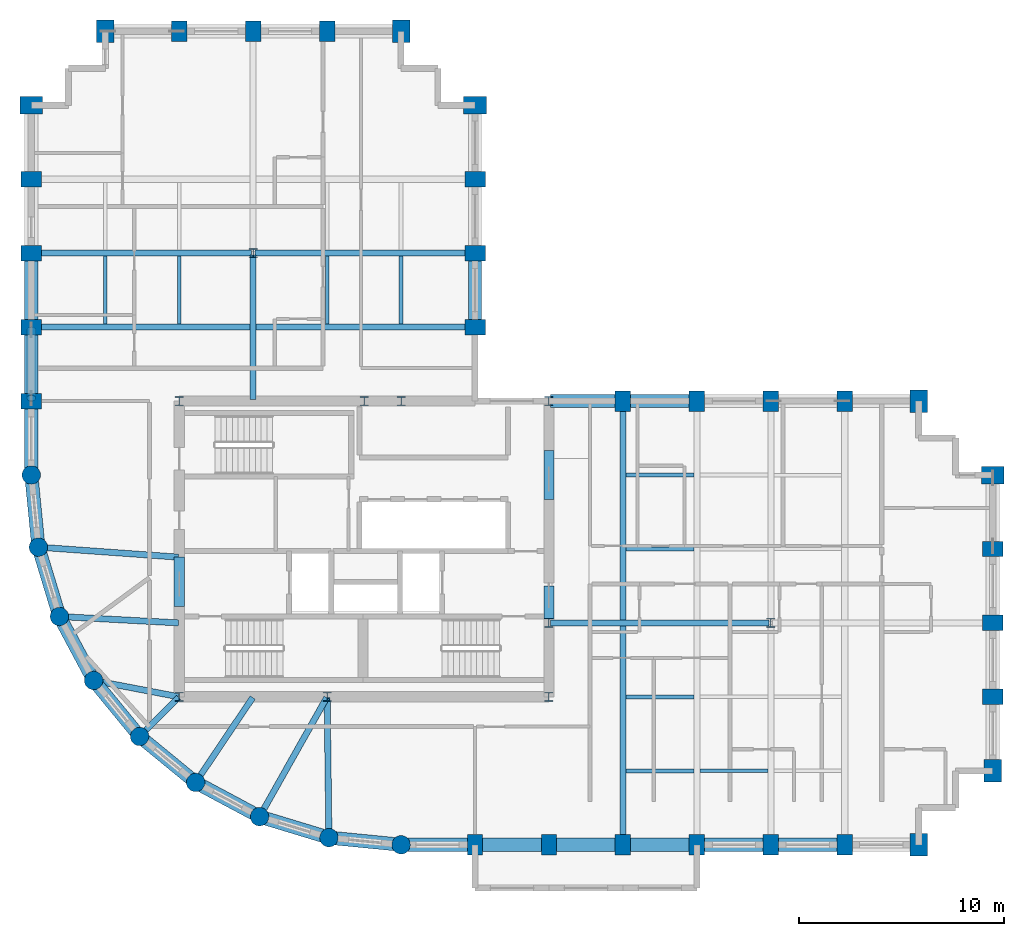
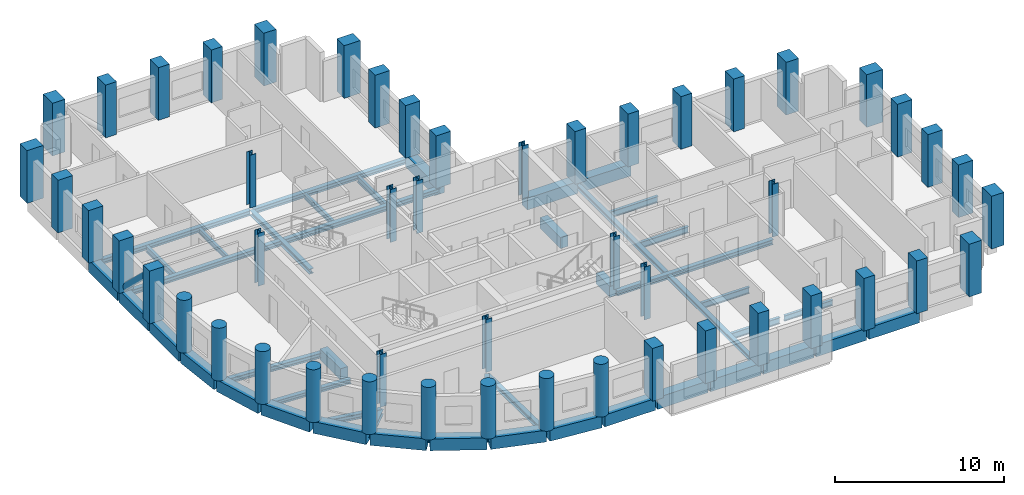
# One storey, part 1 of 9: 50 columns, 45 beams, 1 member.
"""IFC4 building model written with IfcOpenShell, lengths in metres."""

from ifc_helpers import new_model, si_unit, direction, frame, origin, origin_2d, place, context, subcontext, project, spatial, rectangle, circle, hollow_circle, i_section, extrude, material, material_profile, profile_set, type_object, element, save


model = new_model("IFC4")

# Units and contexts
model_context = context("Model", 3, precision=1e-05, world=origin(), true_north=direction((0.0, 1.0)))
body_context = subcontext(model_context, "Body", "Model", "MODEL_VIEW")
ifc_project = project(units=[si_unit("LENGTHUNIT", "METRE"), si_unit("AREAUNIT", "SQUARE_METRE"), si_unit("VOLUMEUNIT", "CUBIC_METRE"), si_unit("PLANEANGLEUNIT", "RADIAN"), si_unit("MASSUNIT", "GRAM", prefix="KILO")], contexts=[model_context])

# Site, building, storey
site_placement = place(None, origin())
site = spatial("IfcSite", under=ifc_project, at=site_placement, CompositionType="ELEMENT")
building_placement = place(site_placement, origin())
building = spatial("IfcBuilding", under=site, at=building_placement, Name="Solnavia Interchange Tower", CompositionType="ELEMENT")
storey_placement = place(building_placement, frame((0.0, 0.0, 139.0)))
storey = spatial("IfcBuildingStorey", under=building, at=storey_placement, Name="L34", CompositionType="ELEMENT", Elevation=139.0)

# Columns
ifc_material_1 = material(Name="Concrete C50/60", Category="concrete")
ifc_material_profile_1 = material_profile(ifc_material_1, rectangle(XDim=0.75, YDim=1.0, at=origin_2d()), Name="RC 1000x750")
ifc_profile_set_1 = profile_set([ifc_material_profile_1], Name="Concrete C50/60")
column_type_1 = type_object("IfcColumnType", Name="Col-RC-1000x750", PredefinedType="COLUMN", material=ifc_profile_set_1)
for number, where, z_axis, x_axis, name in (
    (1, (7.199951171875, 25.199951171875, 0.0), (0.0, 0.0, 1.0), (0.0, 1.0, 0.0), "COL-L34-02 Tower perim y column"),
    (2, (7.199951171875, 28.800048828125, 0.0), (0.0, 0.0, 1.0), (0.0, 1.0, 0.0), "COL-L34-03 Tower perim y column"),
    (3, (7.199951171875, 32.39990234375, 0.0), (0.0, 0.0, 1.0), (0.0, 1.0, 0.0), "COL-L34-04 Tower perim y column"),
    (4, (7.199951171875, 36.0, 0.0), (0.0, 0.0, 1.0), (0.0, 1.0, 0.0), "COL-L34-05 Tower perim y column"),
    (5, (14.39990234375, 43.199951171875, 0.0), (0.0, 0.0, 1.0), (1.0, 0.0, 0.0), "COL-L34-14 Tower perim x column"),
    (6, (18.0, 43.199951171875, 0.0), (0.0, 0.0, 1.0), (1.0, 0.0, 0.0), "COL-L34-17 Tower perim x column"),
    (7, (21.60009765625, 43.199951171875, 0.0), (0.0, 0.0, 1.0), (1.0, 0.0, 0.0), "COL-L34-20 Tower perim x column"),
    (8, (28.800048828125, 3.60009765625, 0.0), (0.0, 0.0, 1.0), (1.0, 0.0, 0.0), "COL-L34-26 Tower perim x column"),
    (9, (28.800048828125, 28.800048828125, 0.0), (0.0, 0.0, 1.0), (0.0, 1.0, 0.0), "COL-L34-27 Tower perim y column"),
    (10, (28.800048828125, 32.39990234375, 0.0), (0.0, 0.0, 1.0), (0.0, 1.0, 0.0), "COL-L34-28 Tower perim y column"),
    (11, (28.800048828125, 36.0, 0.0), (0.0, 0.0, 1.0), (0.0, 1.0, 0.0), "COL-L34-29 Tower perim y column"),
    (12, (32.39990234375, 3.60009765625, 0.0), (0.0, 0.0, 1.0), (1.0, 0.0, 0.0), "COL-L34-31 Tower perim x column"),
    (13, (36.0, 3.60009765625, 0.0), (0.0, 0.0, 1.0), (1.0, 0.0, 0.0), "COL-L34-35 Tower perim x column"),
    (14, (36.0, 25.199951171875, 0.0), (0.0, 0.0, 1.0), (1.0, 0.0, 0.0), "COL-L34-36 Tower perim x column"),
    (15, (39.60009765625, 3.60009765625, 0.0), (0.0, 0.0, 1.0), (1.0, 0.0, 0.0), "COL-L34-37 Tower perim x column"),
    (16, (39.60009765625, 25.199951171875, 0.0), (0.0, 0.0, 1.0), (1.0, 0.0, 0.0), "COL-L34-38 Tower perim x column"),
    (17, (43.199951171875, 3.60009765625, 0.0), (0.0, 0.0, 1.0), (1.0, 0.0, 0.0), "COL-L34-39 Tower perim x column"),
    (18, (43.199951171875, 25.199951171875, 0.0), (0.0, 0.0, 1.0), (1.0, 0.0, 0.0), "COL-L34-41 Tower perim x column"),
    (19, (46.800048828125, 3.60009765625, 0.0), (0.0, 0.0, 1.0), (1.0, 0.0, 0.0), "COL-L34-42 Tower perim x column"),
    (20, (46.800048828125, 25.199951171875, 0.0), (0.0, 0.0, 1.0), (1.0, 0.0, 0.0), "COL-L34-43 Tower perim x column"),
    (21, (54.0, 10.800048828125, 0.0), (0.0, 0.0, 1.0), (0.0, 1.0, 0.0), "COL-L34-47 Tower perim y column"),
    (22, (54.0, 14.39990234375, 0.0), (0.0, 0.0, 1.0), (0.0, 1.0, 0.0), "COL-L34-48 Tower perim y column"),
    (23, (54.0, 18.0, 0.0), (0.0, 0.0, 1.0), (0.0, 1.0, 0.0), "COL-L34-49 Tower perim y column"),
):
    element("IfcColumn", number, at=place(storey_placement, frame(where, z_axis=z_axis, x_axis=x_axis)), inside=storey, type_object=column_type_1, Name=name, PredefinedType="COLUMN", context=body_context, shape_type="SweptSolid", body=[
        extrude(rectangle(XDim=0.75, YDim=1.0, at=origin_2d()), origin(), (0.0, 0.0, 1.0), 3.800048828125),
    ])
ifc_material_profile_2 = material_profile(ifc_material_1, rectangle(XDim=0.85009765625, YDim=1.10009765625, at=origin_2d()), Name="RC 1100x850")
ifc_profile_set_2 = profile_set([ifc_material_profile_2], Name="Concrete C50/60")
column_type_2 = type_object("IfcColumnType", Name="Col-RC-1100x850", PredefinedType="COLUMN", material=ifc_profile_set_2)
for number, where, z_axis, x_axis, name in (
    (24, (7.199951171875, 39.60009765625, 0.0), (0.0, 0.0, 1.0), (0.0, 1.0, 0.0), "COL-L34-06 Tower corner column"),
    (25, (10.800048828125, 43.199951171875, 0.0), (0.0, 0.0, 1.0), (1.0, 0.0, 0.0), "COL-L34-10 Tower corner column"),
    (26, (25.199951171875, 43.199951171875, 0.0), (0.0, 0.0, 1.0), (1.0, 0.0, 0.0), "COL-L34-25 Tower corner column"),
    (27, (28.800048828125, 39.60009765625, 0.0), (0.0, 0.0, 1.0), (0.0, 1.0, 0.0), "COL-L34-30 Tower corner column"),
    (28, (50.39990234375, 3.60009765625, 0.0), (0.0, 0.0, 1.0), (1.0, 0.0, 0.0), "COL-L34-44 Tower corner column"),
    (29, (50.39990234375, 25.199951171875, 0.0), (0.0, 0.0, 1.0), (1.0, 0.0, 0.0), "COL-L34-45 Tower corner column"),
    (30, (54.0, 7.199951171875, 0.0), (0.0, 0.0, 1.0), (1.0, 0.0, 0.0), "COL-L34-46 Tower corner column"),
    (31, (54.0, 21.60009765625, 0.0), (0.0, 0.0, 1.0), (0.0, 1.0, 0.0), "COL-L34-50 Tower corner column"),
):
    element("IfcColumn", number, at=place(storey_placement, frame(where, z_axis=z_axis, x_axis=x_axis)), inside=storey, type_object=column_type_2, Name=name, PredefinedType="COLUMN", context=body_context, shape_type="SweptSolid", body=[
        extrude(rectangle(XDim=0.85009765625, YDim=1.10009765625, at=origin_2d()), origin(), (0.0, 0.0, 1.0), 3.800048828125),
    ])
ifc_material_profile_3 = material_profile(ifc_material_1, circle(Radius=0.449951171875, at=origin_2d()), Name="RC D900")
ifc_profile_set_3 = profile_set([ifc_material_profile_3], Name="Concrete C50/60")
column_type_3 = type_object("IfcColumnType", Name="Col-RC-D900", PredefinedType="COLUMN", material=ifc_profile_set_3)
for number, where, z_axis, x_axis, name in (
    (32, (7.199951171875, 21.60009765625, 0.0), (0.0, 0.0, 1.0), (1.0, 0.0, 0.0), "COL-L34-01 Tower drum column"),
    (33, (7.5458984375, 18.087890625, 0.0), (0.0, 0.0, 1.0), (1.0, 0.0, 0.0), "COL-L34-07 Tower drum column"),
    (34, (8.570068359375, 14.7119140625, 0.0), (0.0, 0.0, 1.0), (1.0, 0.0, 0.0), "COL-L34-08 Tower drum column"),
    (35, (10.23388671875, 11.60009765625, 0.0), (0.0, 0.0, 1.0), (1.0, 0.0, 0.0), "COL-L34-09 Tower drum column"),
    (36, (12.471923828125, 8.8720703125, 0.0), (0.0, 0.0, 1.0), (1.0, 0.0, 0.0), "COL-L34-11 Tower drum column"),
    (37, (15.199951171875, 6.634033203125, 0.0), (0.0, 0.0, 1.0), (1.0, 0.0, 0.0), "COL-L34-15 Tower drum column"),
    (38, (18.31201171875, 4.969970703125, 0.0), (0.0, 0.0, 1.0), (1.0, 0.0, 0.0), "COL-L34-18 Tower drum column"),
    (39, (21.68798828125, 3.946044921875, 0.0), (0.0, 0.0, 1.0), (1.0, 0.0, 0.0), "COL-L34-21 Tower drum column"),
    (40, (25.199951171875, 3.60009765625, 0.0), (0.0, 0.0, 1.0), (1.0, 0.0, 0.0), "COL-L34-23 Tower drum column"),
):
    element("IfcColumn", number, at=place(storey_placement, frame(where, z_axis=z_axis, x_axis=x_axis)), inside=storey, type_object=column_type_3, Name=name, PredefinedType="COLUMN", context=body_context, shape_type="SweptSolid", body=[
        extrude(circle(Radius=0.449951171875, at=origin_2d()), origin(), (0.0, 0.0, 1.0), 3.800048828125),
    ])
ifc_material_2 = material(Name="Steel S355", Category="steel")
ifc_material_profile_4 = material_profile(ifc_material_2, i_section(OverallWidth=0.416015625, OverallDepth=0.44189453125, WebThickness=0.02490234375, FlangeThickness=0.041015625, FilletRadius=0.014892578125, at=origin_2d()), Name="HD 400x382")
ifc_profile_set_4 = profile_set([ifc_material_profile_4], Name="Steel S355")
column_type_4 = type_object("IfcColumnType", Name="Col-Steel-HD400x382", PredefinedType="COLUMN", material=ifc_profile_set_4)
for number, where, z_axis, x_axis, name in (
    (41, (14.39990234375, 10.800048828125, 0.0), (0.0, 0.0, 1.0), (1.0, 0.0, 0.0), "COL-L34-12 Tower interior column"),
    (42, (14.39990234375, 25.199951171875, 0.0), (0.0, 0.0, 1.0), (1.0, 0.0, 0.0), "COL-L34-13 Tower interior column"),
    (43, (18.0, 32.39990234375, 0.0), (0.0, 0.0, 1.0), (1.0, 0.0, 0.0), "COL-L34-16 Tower interior column"),
    (44, (21.60009765625, 10.800048828125, 0.0), (0.0, 0.0, 1.0), (1.0, 0.0, 0.0), "COL-L34-19 Tower interior column"),
    (45, (23.39990234375, 25.199951171875, 0.0), (0.0, 0.0, 1.0), (1.0, 0.0, 0.0), "COL-L34-22 Tower interior column"),
    (46, (25.199951171875, 25.199951171875, 0.0), (0.0, 0.0, 1.0), (1.0, 0.0, 0.0), "COL-L34-24 Tower interior column"),
    (47, (32.39990234375, 10.800048828125, 0.0), (0.0, 0.0, 1.0), (1.0, 0.0, 0.0), "COL-L34-32 Tower interior column"),
    (48, (32.39990234375, 14.39990234375, 0.0), (0.0, 0.0, 1.0), (1.0, 0.0, 0.0), "COL-L34-33 Tower interior column"),
    (49, (32.39990234375, 25.199951171875, 0.0), (0.0, 0.0, 1.0), (1.0, 0.0, 0.0), "COL-L34-34 Tower interior column"),
    (50, (43.199951171875, 14.39990234375, 0.0), (0.0, 0.0, 1.0), (1.0, 0.0, 0.0), "COL-L34-40 Tower interior column"),
):
    element("IfcColumn", number, at=place(storey_placement, frame(where, z_axis=z_axis, x_axis=x_axis)), inside=storey, type_object=column_type_4, Name=name, PredefinedType="COLUMN", context=body_context, shape_type="SweptSolid", body=[
        extrude(i_section(OverallWidth=0.416015625, OverallDepth=0.44189453125, WebThickness=0.02490234375, FlangeThickness=0.041015625, FilletRadius=0.014892578125, at=origin_2d()), origin(), (0.0, 0.0, 1.0), 3.800048828125),
    ])

# Beams
ifc_material_profile_5 = material_profile(ifc_material_1, rectangle(XDim=0.5, YDim=0.800048828125, at=origin_2d()), Name="RC 500x800")
ifc_profile_set_5 = profile_set([ifc_material_profile_5], Name="Concrete C50/60")
beam_type_1 = type_object("IfcBeamType", Name="Beam-Coupling-RC500x800", PredefinedType="LINTEL", material=ifc_profile_set_5)
beam_1_placement = place(storey_placement, frame((14.39990234375, 15.199951171875, -0.39990234375), z_axis=(0.0, 1.0, 0.0), x_axis=(-1.0, 0.0, 0.0)))
element("IfcBeam", 51, at=beam_1_placement, inside=storey, type_object=beam_type_1, Name="CPB-L34-W1 Core coupling lintel beam", PredefinedType="LINTEL", context=body_context, shape_type="SweptSolid", body=[
    extrude(rectangle(XDim=0.5, YDim=0.800048828125, at=origin_2d()), origin(), (0.0, 0.0, 1.0), 2.400146484375),
])
beam_2_placement = place(storey_placement, frame((32.39990234375, 14.60009765625, -0.39990234375), z_axis=(0.0, 1.0, 0.0), x_axis=(-1.0, 0.0, 0.0)))
element("IfcBeam", 52, at=beam_2_placement, inside=storey, type_object=beam_type_1, Name="CPB-L34-E1 Core coupling lintel beam", PredefinedType="LINTEL", context=body_context, shape_type="SweptSolid", body=[
    extrude(rectangle(XDim=0.5, YDim=0.800048828125, at=origin_2d()), origin(), (0.0, 0.0, 1.0), 1.599853515625),
])
beam_3_placement = place(storey_placement, frame((32.39990234375, 20.39990234375, -0.39990234375), z_axis=(0.0, 1.0, 0.0), x_axis=(-1.0, 0.0, 0.0)))
element("IfcBeam", 53, at=beam_3_placement, inside=storey, type_object=beam_type_1, Name="CPB-L34-E2 Core coupling lintel beam", PredefinedType="LINTEL", context=body_context, shape_type="SweptSolid", body=[
    extrude(rectangle(XDim=0.5, YDim=0.800048828125, at=origin_2d()), origin(), (0.0, 0.0, 1.0), 2.400146484375),
])
ifc_material_3 = material(Name="Steel S460", Category="steel")
ifc_material_profile_6 = material_profile(ifc_material_3, i_section(OverallWidth=0.300048828125, OverallDepth=0.360107421875, WebThickness=0.012451171875, FlangeThickness=0.0224609375, FilletRadius=0.027099609375, at=origin_2d()), Name="HEB 360")
ifc_profile_set_6 = profile_set([ifc_material_profile_6], Name="Steel S460")
beam_type_2 = type_object("IfcBeamType", Name="Beam-Girder-HEB360", PredefinedType="BEAM", material=ifc_profile_set_6)
beam_4_placement = place(storey_placement, frame((32.47998046875, 14.39990234375, -0.429931640625), z_axis=(1.0, 0.0, 0.0), x_axis=(0.0, 1.0, 0.0)))
element("IfcBeam", 54, at=beam_4_placement, inside=storey, type_object=beam_type_2, Name="GRD-L34-ES01 East wing spine girder", PredefinedType="BEAM", context=body_context, shape_type="SweptSolid", body=[
    extrude(i_section(OverallWidth=0.300048828125, OverallDepth=0.360107421875, WebThickness=0.012451171875, FlangeThickness=0.0224609375, FilletRadius=0.027099609375, at=origin_2d()), origin(), (0.0, 0.0, 1.0), 10.64013671875),
])
beam_5_placement = place(storey_placement, frame((18.0, 25.280029296875, -0.429931640625), z_axis=(0.0, 1.0, 0.0), x_axis=(-1.0, 0.0, 0.0)))
element("IfcBeam", 55, at=beam_5_placement, inside=storey, type_object=beam_type_2, Name="GRD-L34-NS08 North wing spine girder", PredefinedType="BEAM", context=body_context, shape_type="SweptSolid", body=[
    extrude(i_section(OverallWidth=0.300048828125, OverallDepth=0.360107421875, WebThickness=0.012451171875, FlangeThickness=0.0224609375, FilletRadius=0.027099609375, at=origin_2d()), origin(), (0.0, 0.0, 1.0), 7.0400390625),
])
beam_6_placement = place(storey_placement, frame((7.280029296875, 28.800048828125, -0.429931640625), z_axis=(1.0, 0.0, 0.0), x_axis=(0.0, 1.0, 0.0)))
element("IfcBeam", 56, at=beam_6_placement, inside=storey, type_object=beam_type_2, Name="GRD-L34-NW10 North wing primary floor girder", PredefinedType="BEAM", context=body_context, shape_type="SweptSolid", body=[
    extrude(i_section(OverallWidth=0.300048828125, OverallDepth=0.360107421875, WebThickness=0.012451171875, FlangeThickness=0.0224609375, FilletRadius=0.027099609375, at=origin_2d()), origin(), (0.0, 0.0, 1.0), 21.43994140625),
])
beam_7_placement = place(storey_placement, frame((10.3125, 11.5849609375, -0.429931640625), z_axis=(0.982057527796, -0.188581579428, 0.0), x_axis=(0.188581579428, 0.982057527796, 0.0)))
element("IfcBeam", 57, at=beam_7_placement, inside=storey, type_object=beam_type_2, Name="GRD-L34-DR16 Drum radial floor girder", PredefinedType="BEAM", context=body_context, shape_type="SweptSolid", body=[
    extrude(i_section(OverallWidth=0.300048828125, OverallDepth=0.360107421875, WebThickness=0.012451171875, FlangeThickness=0.0224609375, FilletRadius=0.027099609375, at=origin_2d()), origin(), (0.0, 0.0, 1.0), 4.1220703125),
])
beam_8_placement = place(storey_placement, frame((18.351318359375, 5.039794921875, -0.429931640625), z_axis=(0.491243158486, 0.871022479182, 0.0), x_axis=(-0.871022479182, 0.491243158486, 0.0)))
element("IfcBeam", 58, at=beam_8_placement, inside=storey, type_object=beam_type_2, Name="GRD-L34-DR19 Drum radial floor girder", PredefinedType="BEAM", context=body_context, shape_type="SweptSolid", body=[
    extrude(i_section(OverallWidth=0.300048828125, OverallDepth=0.360107421875, WebThickness=0.012451171875, FlangeThickness=0.0224609375, FilletRadius=0.027099609375, at=origin_2d()), origin(), (0.0, 0.0, 1.0), 6.5732421875),
])
ifc_material_profile_7 = material_profile(ifc_material_2, i_section(OverallWidth=0.169921875, OverallDepth=0.360107421875, WebThickness=0.008056640625, FlangeThickness=0.0126953125, FilletRadius=0.01806640625, at=origin_2d()), Name="IPE 360")
ifc_profile_set_7 = profile_set([ifc_material_profile_7], Name="Steel S355")
beam_type_3 = type_object("IfcBeamType", Name="Beam-Joist-IPE360", PredefinedType="JOIST", material=ifc_profile_set_7)
beam_9_placement = place(storey_placement, frame((14.39990234375, 28.949951171875, -0.429931640625), z_axis=(0.0, 1.0, 0.0), x_axis=(-1.0, 0.0, 0.0)))
element("IfcBeam", 59, at=beam_9_placement, inside=storey, type_object=beam_type_3, Name="JST-L34-N15 North wing secondary joist", PredefinedType="JOIST", context=body_context, shape_type="SweptSolid", body=[
    extrude(i_section(OverallWidth=0.169921875, OverallDepth=0.360107421875, WebThickness=0.008056640625, FlangeThickness=0.0126953125, FilletRadius=0.01806640625, at=origin_2d()), origin(), (0.0, 0.0, 1.0), 3.300048828125),
])
ifc_material_profile_8 = material_profile(ifc_material_2, i_section(OverallWidth=0.179931640625, OverallDepth=0.39990234375, WebThickness=0.008544921875, FlangeThickness=0.013427734375, FilletRadius=0.02099609375, at=origin_2d()), Name="IPE 400")
ifc_profile_set_8 = profile_set([ifc_material_profile_8], Name="Steel S355")
beam_type_4 = type_object("IfcBeamType", Name="Beam-Joist-IPE400", PredefinedType="JOIST", material=ifc_profile_set_8)
for number, where, z_axis, x_axis, name in (
    (60, (39.75, 7.199951171875, -0.449951171875), (1.0, 0.0, 0.0), (0.0, 1.0, 0.0), "JST-L34-E02 East wing secondary joist"),
    (61, (21.60009765625, 28.949951171875, -0.449951171875), (0.0, 1.0, 0.0), (-1.0, 0.0, 0.0), "JST-L34-N17 North wing secondary joist"),
):
    element("IfcBeam", number, at=place(storey_placement, frame(where, z_axis=z_axis, x_axis=x_axis)), inside=storey, type_object=beam_type_4, Name=name, PredefinedType="JOIST", context=body_context, shape_type="SweptSolid", body=[
        extrude(i_section(OverallWidth=0.179931640625, OverallDepth=0.39990234375, WebThickness=0.008544921875, FlangeThickness=0.013427734375, FilletRadius=0.02099609375, at=origin_2d()), origin(), (0.0, 0.0, 1.0), 3.300048828125),
    ])
ifc_material_profile_9 = material_profile(ifc_material_2, i_section(OverallWidth=0.18994140625, OverallDepth=0.449951171875, WebThickness=0.009521484375, FlangeThickness=0.0146484375, FilletRadius=0.02099609375, at=origin_2d()), Name="IPE 450")
ifc_profile_set_9 = profile_set([ifc_material_profile_9], Name="Steel S355")
beam_type_5 = type_object("IfcBeamType", Name="Beam-Joist-IPE450", PredefinedType="JOIST", material=ifc_profile_set_9)
for number, where, z_axis, x_axis, name in (
    (62, (36.14990234375, 7.199951171875, -0.47509765625), (1.0, 0.0, 0.0), (0.0, 1.0, 0.0), "JST-L34-E01 East wing secondary joist"),
    (63, (36.14990234375, 10.800048828125, -0.47509765625), (1.0, 0.0, 0.0), (0.0, 1.0, 0.0), "JST-L34-E04 East wing secondary joist"),
    (64, (36.14990234375, 18.0, -0.47509765625), (1.0, 0.0, 0.0), (0.0, 1.0, 0.0), "JST-L34-E07 East wing secondary joist"),
    (65, (36.14990234375, 21.60009765625, -0.47509765625), (1.0, 0.0, 0.0), (0.0, 1.0, 0.0), "JST-L34-E10 East wing secondary joist"),
    (66, (10.800048828125, 28.949951171875, -0.47509765625), (0.0, 1.0, 0.0), (-1.0, 0.0, 0.0), "JST-L34-N13 North wing secondary joist"),
    (67, (25.199951171875, 28.949951171875, -0.47509765625), (0.0, 1.0, 0.0), (-1.0, 0.0, 0.0), "JST-L34-N19 North wing secondary joist"),
):
    element("IfcBeam", number, at=place(storey_placement, frame(where, z_axis=z_axis, x_axis=x_axis)), inside=storey, type_object=beam_type_5, Name=name, PredefinedType="JOIST", context=body_context, shape_type="SweptSolid", body=[
        extrude(i_section(OverallWidth=0.18994140625, OverallDepth=0.449951171875, WebThickness=0.009521484375, FlangeThickness=0.0146484375, FilletRadius=0.02099609375, at=origin_2d()), origin(), (0.0, 0.0, 1.0), 3.300048828125),
    ])
ifc_material_profile_10 = material_profile(ifc_material_2, i_section(OverallWidth=0.300048828125, OverallDepth=0.31005859375, WebThickness=0.009033203125, FlangeThickness=0.015380859375, FilletRadius=0.027099609375, at=origin_2d()), Name="HEA 320")
ifc_profile_set_10 = profile_set([ifc_material_profile_10], Name="Steel S355")
beam_type_6 = type_object("IfcBeamType", Name="Beam-Primary-HEA320", PredefinedType="BEAM", material=ifc_profile_set_10)
beam_10_placement = place(storey_placement, frame((36.0, 3.679931640625, -0.405029296875), z_axis=(0.0, 1.0, 0.0), x_axis=(-1.0, 0.0, 0.0)))
element("IfcBeam", 68, at=beam_10_placement, inside=storey, type_object=beam_type_6, Name="GRD-L34-EW03 East wing primary floor girder", PredefinedType="BEAM", context=body_context, shape_type="SweptSolid", body=[
    extrude(i_section(OverallWidth=0.300048828125, OverallDepth=0.31005859375, WebThickness=0.009033203125, FlangeThickness=0.015380859375, FilletRadius=0.027099609375, at=origin_2d()), origin(), (0.0, 0.0, 1.0), 21.440185546875),
])
beam_11_placement = place(storey_placement, frame((8.64990234375, 14.707763671875, -0.405029296875), z_axis=(0.998570371303, -0.053452909696, 0.0), x_axis=(0.053452909696, 0.998570371303, 0.0)))
element("IfcBeam", 69, at=beam_11_placement, inside=storey, type_object=beam_type_6, Name="GRD-L34-DR15 Drum radial floor girder", PredefinedType="BEAM", context=body_context, shape_type="SweptSolid", body=[
    extrude(i_section(OverallWidth=0.300048828125, OverallDepth=0.31005859375, WebThickness=0.009033203125, FlangeThickness=0.015380859375, FilletRadius=0.027099609375, at=origin_2d()), origin(), (0.0, 0.0, 1.0), 5.71826171875),
])
beam_12_placement = place(storey_placement, frame((15.24462890625, 6.700439453125, -0.405029296875), z_axis=(0.557835474219, 0.829951555033, 0.0), x_axis=(-0.829951555033, 0.557835474219, 0.0)))
element("IfcBeam", 70, at=beam_12_placement, inside=storey, type_object=beam_type_6, Name="GRD-L34-DR18 Drum radial floor girder", PredefinedType="BEAM", context=body_context, shape_type="SweptSolid", body=[
    extrude(i_section(OverallWidth=0.300048828125, OverallDepth=0.31005859375, WebThickness=0.009033203125, FlangeThickness=0.015380859375, FilletRadius=0.027099609375, at=origin_2d()), origin(), (0.0, 0.0, 1.0), 4.899658203125),
])
ifc_material_profile_11 = material_profile(ifc_material_2, i_section(OverallWidth=0.300048828125, OverallDepth=0.35009765625, WebThickness=0.010009765625, FlangeThickness=0.017578125, FilletRadius=0.027099609375, at=origin_2d()), Name="HEA 360")
ifc_profile_set_11 = profile_set([ifc_material_profile_11], Name="Steel S355")
beam_type_7 = type_object("IfcBeamType", Name="Beam-Primary-HEA360", PredefinedType="BEAM", material=ifc_profile_set_11)
for number, where, z_axis, x_axis, name in (
    (71, (7.280029296875, 32.39990234375, -0.425048828125), (1.0, 0.0, 0.0), (0.0, 1.0, 0.0), "GRD-L34-NW11 North wing primary floor girder"),
    (72, (18.080078125, 32.39990234375, -0.425048828125), (1.0, 0.0, 0.0), (0.0, 1.0, 0.0), "GRD-L34-NW12 North wing primary floor girder"),
):
    element("IfcBeam", number, at=place(storey_placement, frame(where, z_axis=z_axis, x_axis=x_axis)), inside=storey, type_object=beam_type_7, Name=name, PredefinedType="BEAM", context=body_context, shape_type="SweptSolid", body=[
        extrude(i_section(OverallWidth=0.300048828125, OverallDepth=0.35009765625, WebThickness=0.010009765625, FlangeThickness=0.017578125, FilletRadius=0.027099609375, at=origin_2d()), origin(), (0.0, 0.0, 1.0), 10.639892578125),
    ])
beam_13_placement = place(storey_placement, frame((7.625732421875, 18.082275390625, -0.425048828125), z_axis=(0.99747482749, -0.071020902015, 0.0), x_axis=(0.071020902015, 0.99747482749, 0.0)))
element("IfcBeam", 73, at=beam_13_placement, inside=storey, type_object=beam_type_7, Name="GRD-L34-DR14 Drum radial floor girder", PredefinedType="BEAM", context=body_context, shape_type="SweptSolid", body=[
    extrude(i_section(OverallWidth=0.300048828125, OverallDepth=0.35009765625, WebThickness=0.010009765625, FlangeThickness=0.017578125, FilletRadius=0.027099609375, at=origin_2d()), origin(), (0.0, 0.0, 1.0), 6.75146484375),
])
beam_14_placement = place(storey_placement, frame((12.528564453125, 8.9287109375, -0.425048828125), z_axis=(0.707106781187, 0.707106781187, 0.0), x_axis=(-0.707106781187, 0.707106781187, 0.0)))
element("IfcBeam", 74, at=beam_14_placement, inside=storey, type_object=beam_type_7, Name="GRD-L34-DR17 Drum radial floor girder", PredefinedType="BEAM", context=body_context, shape_type="SweptSolid", body=[
    extrude(i_section(OverallWidth=0.300048828125, OverallDepth=0.35009765625, WebThickness=0.010009765625, FlangeThickness=0.017578125, FilletRadius=0.027099609375, at=origin_2d()), origin(), (0.0, 0.0, 1.0), 2.6064453125),
])
beam_15_placement = place(storey_placement, frame((21.68701171875, 4.02587890625, -0.425048828125), z_axis=(-0.01283293513, 0.999917654498, 0.0), x_axis=(-0.999917654498, -0.01283293513, 0.0)))
element("IfcBeam", 75, at=beam_15_placement, inside=storey, type_object=beam_type_7, Name="GRD-L34-DR20 Drum radial floor girder", PredefinedType="BEAM", context=body_context, shape_type="SweptSolid", body=[
    extrude(i_section(OverallWidth=0.300048828125, OverallDepth=0.35009765625, WebThickness=0.010009765625, FlangeThickness=0.017578125, FilletRadius=0.027099609375, at=origin_2d()), origin(), (0.0, 0.0, 1.0), 6.734619140625),
])
ifc_material_profile_12 = material_profile(ifc_material_1, rectangle(XDim=0.64990234375, YDim=0.85009765625, at=origin_2d()), Name="RC 650x850")
ifc_profile_set_12 = profile_set([ifc_material_profile_12], Name="Concrete C50/60")
beam_type_8 = type_object("IfcBeamType", Name="Beam-Spandrel-RC650x850", PredefinedType="SPANDREL", material=ifc_profile_set_12)
beam_16_placement = place(storey_placement, frame((7.207763671875, 21.5205078125, -0.425048828125), z_axis=(0.098040038117, -0.995182471171, 0.0), x_axis=(0.995182471171, 0.098040038117, 0.0)))
element("IfcBeam", 76, at=beam_16_placement, inside=storey, type_object=beam_type_8, Name="SPB-L34-01 Framed-tube perimeter spandrel beam", PredefinedType="SPANDREL", context=body_context, shape_type="SweptSolid", body=[
    extrude(rectangle(XDim=0.64990234375, YDim=0.85009765625, at=origin_2d()), origin(), (0.0, 0.0, 1.0), 3.369140625),
])
beam_17_placement = place(storey_placement, frame((7.569091796875, 18.011474609375, -0.425048828125), z_axis=(0.290319223646, -0.956929855518, 0.0), x_axis=(0.956929855518, 0.290319223646, 0.0)))
element("IfcBeam", 77, at=beam_17_placement, inside=storey, type_object=beam_type_8, Name="SPB-L34-02 Framed-tube perimeter spandrel beam", PredefinedType="SPANDREL", context=body_context, shape_type="SweptSolid", body=[
    extrude(rectangle(XDim=0.64990234375, YDim=0.85009765625, at=origin_2d()), origin(), (0.0, 0.0, 1.0), 3.367919921875),
])
beam_18_placement = place(storey_placement, frame((8.607666015625, 14.6416015625, -0.425048828125), z_axis=(0.471509422952, -0.881861023102, 0.0), x_axis=(0.881861023102, 0.471509422952, 0.0)))
element("IfcBeam", 78, at=beam_18_placement, inside=storey, type_object=beam_type_8, Name="SPB-L34-03 Framed-tube perimeter spandrel beam", PredefinedType="SPANDREL", context=body_context, shape_type="SweptSolid", body=[
    extrude(rectangle(XDim=0.64990234375, YDim=0.85009765625, at=origin_2d()), origin(), (0.0, 0.0, 1.0), 3.369140625),
])
for number, where, z_axis, x_axis, name in (
    (79, (10.28466796875, 11.5380859375, -0.425048828125), (0.634298841675, -0.773087950656, 0.0), (0.773087950656, 0.634298841675, 0.0), "SPB-L34-04 Framed-tube perimeter spandrel beam"),
    (80, (12.53369140625, 8.8212890625, -0.425048828125), (0.773152644452, -0.634219984214, 0.0), (0.634219984214, 0.773152644452, 0.0), "SPB-L34-05 Framed-tube perimeter spandrel beam"),
):
    element("IfcBeam", number, at=place(storey_placement, frame(where, z_axis=z_axis, x_axis=x_axis)), inside=storey, type_object=beam_type_8, Name=name, PredefinedType="SPANDREL", context=body_context, shape_type="SweptSolid", body=[
        extrude(rectangle(XDim=0.64990234375, YDim=0.85009765625, at=origin_2d()), origin(), (0.0, 0.0, 1.0), 3.36865234375),
    ])
beam_19_placement = place(storey_placement, frame((15.2705078125, 6.59619140625, -0.425048828125), z_axis=(0.881875044348, -0.47148319817, 0.0), x_axis=(0.47148319817, 0.881875044348, 0.0)))
element("IfcBeam", 81, at=beam_19_placement, inside=storey, type_object=beam_type_8, Name="SPB-L34-06 Framed-tube perimeter spandrel beam", PredefinedType="SPANDREL", context=body_context, shape_type="SweptSolid", body=[
    extrude(rectangle(XDim=0.64990234375, YDim=0.85009765625, at=origin_2d()), origin(), (0.0, 0.0, 1.0), 3.368896484375),
])
beam_20_placement = place(storey_placement, frame((18.388671875, 4.94677734375, -0.425048828125), z_axis=(0.956943884494, -0.290272978297, 0.0), x_axis=(0.290272978297, 0.956943884494, 0.0)))
element("IfcBeam", 82, at=beam_20_placement, inside=storey, type_object=beam_type_8, Name="SPB-L34-07 Framed-tube perimeter spandrel beam", PredefinedType="SPANDREL", context=body_context, shape_type="SweptSolid", body=[
    extrude(rectangle(XDim=0.64990234375, YDim=0.85009765625, at=origin_2d()), origin(), (0.0, 0.0, 1.0), 3.36767578125),
])
beam_21_placement = place(storey_placement, frame((21.767578125, 3.938232421875, -0.425048828125), z_axis=(0.995181774609, -0.098047108501, 0.0), x_axis=(0.098047108501, 0.995181774609, 0.0)))
element("IfcBeam", 83, at=beam_21_placement, inside=storey, type_object=beam_type_8, Name="SPB-L34-08 Framed-tube perimeter spandrel beam", PredefinedType="SPANDREL", context=body_context, shape_type="SweptSolid", body=[
    extrude(rectangle(XDim=0.64990234375, YDim=0.85009765625, at=origin_2d()), origin(), (0.0, 0.0, 1.0), 3.368896484375),
])
beam_22_placement = place(storey_placement, frame((25.280029296875, 3.60009765625, -0.425048828125), z_axis=(1.0, 0.0, 0.0), x_axis=(0.0, 1.0, 0.0)))
element("IfcBeam", 84, at=beam_22_placement, inside=storey, type_object=beam_type_8, Name="SPB-L34-09 Framed-tube perimeter spandrel beam", PredefinedType="SPANDREL", context=body_context, shape_type="SweptSolid", body=[
    extrude(rectangle(XDim=0.64990234375, YDim=0.85009765625, at=origin_2d()), origin(), (0.0, 0.0, 1.0), 3.43994140625),
])
beam_23_placement = place(storey_placement, frame((28.8798828125, 3.60009765625, -0.425048828125), z_axis=(1.0, 0.0, 0.0), x_axis=(0.0, 1.0, 0.0)))
element("IfcBeam", 85, at=beam_23_placement, inside=storey, type_object=beam_type_8, Name="SPB-L34-10 Framed-tube perimeter spandrel beam", PredefinedType="SPANDREL", context=body_context, shape_type="SweptSolid", body=[
    extrude(rectangle(XDim=0.64990234375, YDim=0.85009765625, at=origin_2d()), origin(), (0.0, 0.0, 1.0), 3.440185546875),
])
for number, where, z_axis, x_axis, name in (
    (86, (32.47998046875, 3.60009765625, -0.425048828125), (1.0, 0.0, 0.0), (0.0, 1.0, 0.0), "SPB-L34-11 Framed-tube perimeter spandrel beam"),
    (87, (36.080078125, 3.60009765625, -0.425048828125), (1.0, 0.0, 0.0), (0.0, 1.0, 0.0), "SPB-L34-12 Framed-tube perimeter spandrel beam"),
):
    element("IfcBeam", number, at=place(storey_placement, frame(where, z_axis=z_axis, x_axis=x_axis)), inside=storey, type_object=beam_type_8, Name=name, PredefinedType="SPANDREL", context=body_context, shape_type="SweptSolid", body=[
        extrude(rectangle(XDim=0.64990234375, YDim=0.85009765625, at=origin_2d()), origin(), (0.0, 0.0, 1.0), 3.43994140625),
    ])
beam_24_placement = place(storey_placement, frame((39.679931640625, 3.60009765625, -0.425048828125), z_axis=(1.0, 0.0, 0.0), x_axis=(0.0, 1.0, 0.0)))
element("IfcBeam", 88, at=beam_24_placement, inside=storey, type_object=beam_type_8, Name="SPB-L34-13 Framed-tube perimeter spandrel beam", PredefinedType="SPANDREL", context=body_context, shape_type="SweptSolid", body=[
    extrude(rectangle(XDim=0.64990234375, YDim=0.85009765625, at=origin_2d()), origin(), (0.0, 0.0, 1.0), 3.440185546875),
])
for number, where, z_axis, x_axis, name in (
    (89, (43.280029296875, 3.60009765625, -0.425048828125), (1.0, 0.0, 0.0), (0.0, 1.0, 0.0), "SPB-L34-14 Framed-tube perimeter spandrel beam"),
    (90, (39.52001953125, 25.199951171875, -0.425048828125), (-1.0, 0.0, 0.0), (0.0, -1.0, 0.0), "SPB-L34-23 Framed-tube perimeter spandrel beam"),
    (91, (35.919921875, 25.199951171875, -0.425048828125), (-1.0, 0.0, 0.0), (0.0, -1.0, 0.0), "SPB-L34-24 Framed-tube perimeter spandrel beam"),
):
    element("IfcBeam", number, at=place(storey_placement, frame(where, z_axis=z_axis, x_axis=x_axis)), inside=storey, type_object=beam_type_8, Name=name, PredefinedType="SPANDREL", context=body_context, shape_type="SweptSolid", body=[
        extrude(rectangle(XDim=0.64990234375, YDim=0.85009765625, at=origin_2d()), origin(), (0.0, 0.0, 1.0), 3.43994140625),
    ])
for number, where, z_axis, x_axis, name in (
    (92, (28.800048828125, 28.8798828125, -0.425048828125), (0.0, 1.0, 0.0), (-1.0, 0.0, 0.0), "SPB-L34-25 Framed-tube perimeter spandrel beam"),
    (93, (7.199951171875, 32.320068359375, -0.425048828125), (0.0, -1.0, 0.0), (1.0, 0.0, 0.0), "SPB-L34-34 Framed-tube perimeter spandrel beam"),
):
    element("IfcBeam", number, at=place(storey_placement, frame(where, z_axis=z_axis, x_axis=x_axis)), inside=storey, type_object=beam_type_8, Name=name, PredefinedType="SPANDREL", context=body_context, shape_type="SweptSolid", body=[
        extrude(rectangle(XDim=0.64990234375, YDim=0.85009765625, at=origin_2d()), origin(), (0.0, 0.0, 1.0), 3.440185546875),
    ])
beam_25_placement = place(storey_placement, frame((7.199951171875, 28.719970703125, -0.425048828125), z_axis=(0.0, -1.0, 0.0), x_axis=(1.0, 0.0, 0.0)))
element("IfcBeam", 94, at=beam_25_placement, inside=storey, type_object=beam_type_8, Name="SPB-L34-35 Framed-tube perimeter spandrel beam", PredefinedType="SPANDREL", context=body_context, shape_type="SweptSolid", body=[
    extrude(rectangle(XDim=0.64990234375, YDim=0.85009765625, at=origin_2d()), origin(), (0.0, 0.0, 1.0), 3.43994140625),
])
beam_26_placement = place(storey_placement, frame((7.199951171875, 25.1201171875, -0.425048828125), z_axis=(0.0, -1.0, 0.0), x_axis=(1.0, 0.0, 0.0)))
element("IfcBeam", 95, at=beam_26_placement, inside=storey, type_object=beam_type_8, Name="SPB-L34-36 Framed-tube perimeter spandrel beam", PredefinedType="SPANDREL", context=body_context, shape_type="SweptSolid", body=[
    extrude(rectangle(XDim=0.64990234375, YDim=0.85009765625, at=origin_2d()), origin(), (0.0, 0.0, 1.0), 3.440185546875),
])

# Member
ifc_material_profile_13 = material_profile(ifc_material_3, hollow_circle(Radius=0.228515625, WallThickness=0.02001953125, at=origin_2d()), Name="CHS 457x20")
ifc_profile_set_13 = profile_set([ifc_material_profile_13], Name="Steel S460")
member_type = type_object("IfcMemberType", Name="Brace-Perim-CHS457", PredefinedType="BRACE", material=ifc_profile_set_13)
member_placement = place(storey_placement, frame((7.199951171875, 28.659912109375, 0.179931640625), z_axis=(0.0, -0.721044971413, 0.692888266028), x_axis=(1.0, 0.0, 0.0)))
element("IfcMember", 96, at=member_placement, inside=storey, type_object=member_type, Name="BRC-L34-01 Perimeter tube diagonal brace", PredefinedType="BRACE", context=body_context, shape_type="SweptSolid", body=[
    extrude(hollow_circle(Radius=0.228515625, WallThickness=0.02001953125, at=origin_2d()), origin(), (0.0, 0.0, 1.0), 4.604248046875),
])

save(model, "model.ifc")
